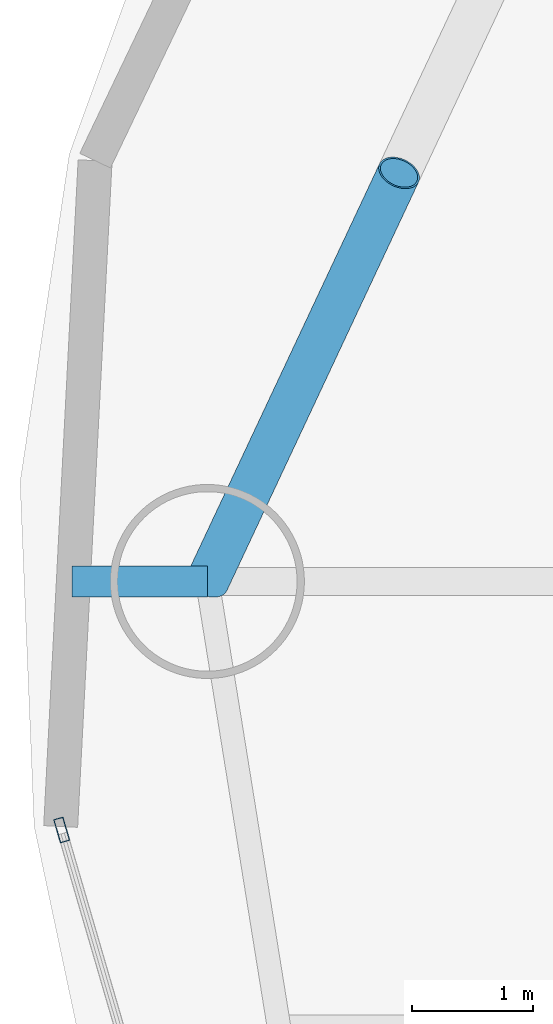
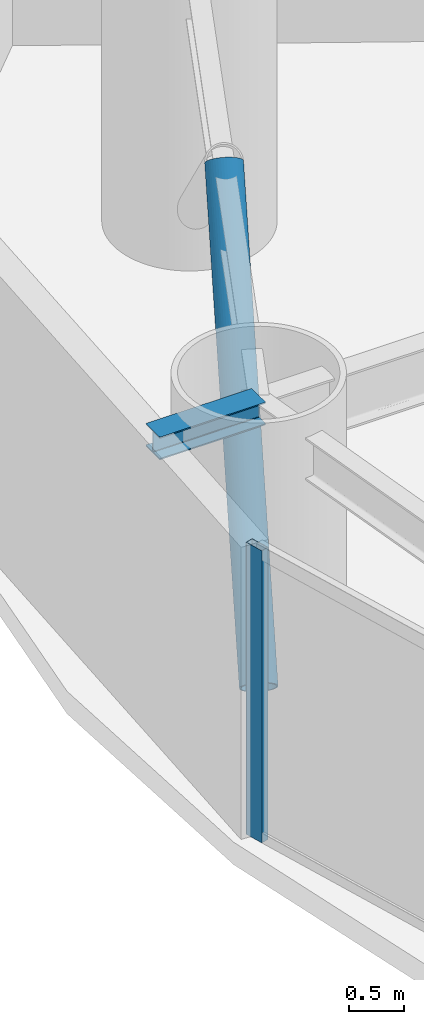
# One storey, part 6 of 30: 2 members, 1 beam, 1 element without a shape of its own.
"""IFC4 building model written with IfcOpenShell, lengths in metres."""

from ifc_helpers import new_model, si_unit, direction, frame, origin, origin_2d, place, context, subcontext, project, spatial, hollow_rectangle, hollow_circle, i_section, extrude, material, layer, layer_set, material_profile, profile_set, type_object, element, aggregate, save


model = new_model("IFC4")

# Units and contexts
model_context = context("Model", 3, precision=1e-05, world=origin(), true_north=direction((0.0, 1.0)))
body_context = subcontext(model_context, "Body", "Model", "MODEL_VIEW")
ifc_project = project(units=[si_unit("LENGTHUNIT", "METRE"), si_unit("AREAUNIT", "SQUARE_METRE"), si_unit("VOLUMEUNIT", "CUBIC_METRE"), si_unit("PLANEANGLEUNIT", "RADIAN"), si_unit("MASSUNIT", "GRAM", prefix="KILO")], contexts=[model_context])

# Site, building, storey
site_placement = place(None, origin())
site = spatial("IfcSite", under=ifc_project, at=site_placement, CompositionType="ELEMENT")
building_placement = place(site_placement, origin())
building = spatial("IfcBuilding", under=site, at=building_placement, Name="Bramvorn Convention Spire", CompositionType="ELEMENT")
storey_placement = place(building_placement, frame((0.0, 0.0, 90.39990234375)))
storey = spatial("IfcBuildingStorey", under=building, at=storey_placement, Name="L21", CompositionType="ELEMENT", Elevation=90.39990234375)

# Beam
ifc_material_1 = material(Name="Steel CSA G40.21 Grade 350 (350W)", Category="steel")
ifc_material_profile_1 = material_profile(ifc_material_1, i_section(OverallWidth=0.25390625, OverallDepth=0.2529296875, WebThickness=0.008544921875, FlangeThickness=0.01416015625, FilletRadius=0.011962890625, at=origin_2d()))
ifc_profile_set_1 = profile_set([ifc_material_profile_1], Name="Steel CSA G40.21 Grade 350 (350W) - W250X73")
beam_type = type_object("IfcBeamType", Name="BM-W250X73", PredefinedType="BEAM", material=ifc_profile_set_1)
beam_placement = place(storey_placement, frame((9.480224609375, 30.00830078125, 3.12353515625), z_axis=(-1.0, 0.0, 0.0), x_axis=(0.0, -1.0, 0.0)))
element("IfcBeam", 1, at=beam_placement, inside=storey, type_object=beam_type, Name="L21 slab-edge cantilever tip beam MC09", PredefinedType="BEAM", context=body_context, shape_type="SweptSolid", body=[
    extrude(i_section(OverallWidth=0.25390625, OverallDepth=0.2529296875, WebThickness=0.008544921875, FlangeThickness=0.01416015625, FilletRadius=0.011962890625, at=origin_2d()), origin(), (0.0, 0.0, 1.0), 1.114990234375),
])

# Curtain wall, member
ifc_material_2 = material(Name="Anodised Bronze Unitised Curtain Wall", Category="aluminium")
ifc_layer = layer(ifc_material_2, 0.179931640625)
ifc_layer_set = layer_set([ifc_layer], Name="Anodised Bronze Unitised Curtain Wall - CW-HTL-FRIT")
curtain_wall_type = type_object("IfcCurtainWallType", Name="CW-HTL-FRIT", PredefinedType="USERDEFINED", material=ifc_layer_set)
curtain_wall_placement = place(storey_placement, origin())
curtain_wall = element("IfcCurtainWall", 2, at=curtain_wall_placement, inside=storey, type_object=curtain_wall_type, Name="L21 fritted glass curtain wall 14", ObjectType="UNITISED CURTAIN WALL", PredefinedType="USERDEFINED")
ifc_material_3 = material(Name="Anodised Bronze Aluminium 6063-T6", Category="aluminium")
ifc_material_profile_2 = material_profile(ifc_material_3, hollow_rectangle(XDim=0.080078125, YDim=0.199951171875, WallThickness=0.00390625, InnerFilletRadius=0.0009765625, OuterFilletRadius=0.00390625, at=origin_2d()))
ifc_profile_set_2 = profile_set([ifc_material_profile_2], Name="Anodised Bronze Aluminium 6063-T6 - CWM80X200")
member_type_1 = type_object("IfcMemberType", Name="CW-MUL-180", PredefinedType="MULLION", material=ifc_profile_set_2)
member_1_placement = place(storey_placement, frame((8.279052734375, 27.959228515625, 0.0), z_axis=(0.0, 0.0, 1.0), x_axis=(-0.959947878681, -0.280178639826, 0.0)))
member_1 = element("IfcMember", 3, at=member_1_placement, type_object=member_type_1, Name="CW2 mullion 2", PredefinedType="MULLION", context=body_context, shape_type="SweptSolid", body=[
    extrude(hollow_rectangle(XDim=0.080078125, YDim=0.199951171875, WallThickness=0.00390625, InnerFilletRadius=0.0009765625, OuterFilletRadius=0.00390625, at=origin_2d()), origin(), (0.0, 0.0, 1.0), 3.25),
])
aggregate(curtain_wall, [member_1])

# Member
ifc_material_profile_3 = material_profile(ifc_material_1, hollow_circle(Radius=0.177734375, WallThickness=0.015869140625, at=origin_2d()))
ifc_profile_set_3 = profile_set([ifc_material_profile_3], Name="Steel CSA G40.21 Grade 350 (350W) - CHS356X16")
member_type_2 = type_object("IfcMemberType", Name="MBR-CHS356X16", PredefinedType="BRACE", material=ifc_profile_set_3)
member_2_placement = place(storey_placement, frame((9.480224609375, 30.00830078125, 0.0), z_axis=(0.319909760159, 0.681871297566, 0.657806414465), x_axis=(-0.905314694797, 0.424741454752, 0.0)))
element("IfcMember", 4, at=member_2_placement, inside=storey, type_object=member_type_2, Name="L21 perimeter Gothic lancet brace 8B", PredefinedType="BRACE", context=body_context, shape_type="SweptSolid", body=[
    extrude(hollow_circle(Radius=0.177734375, WallThickness=0.015869140625, at=origin_2d()), origin(), (0.0, 0.0, 1.0), 4.940673828125),
])

save(model, "model.ifc")
